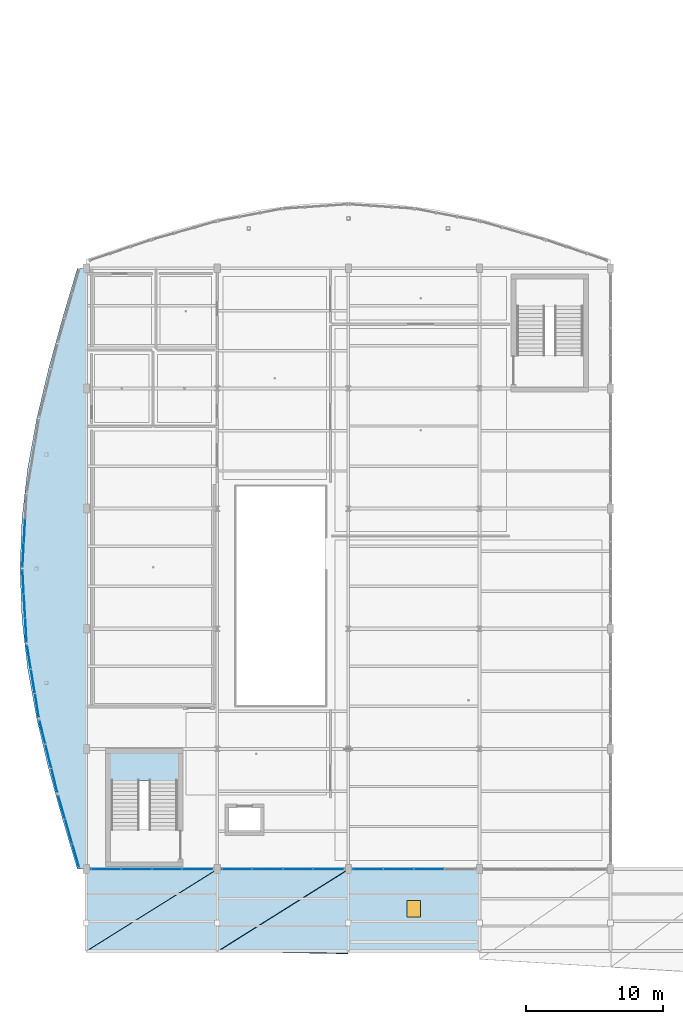
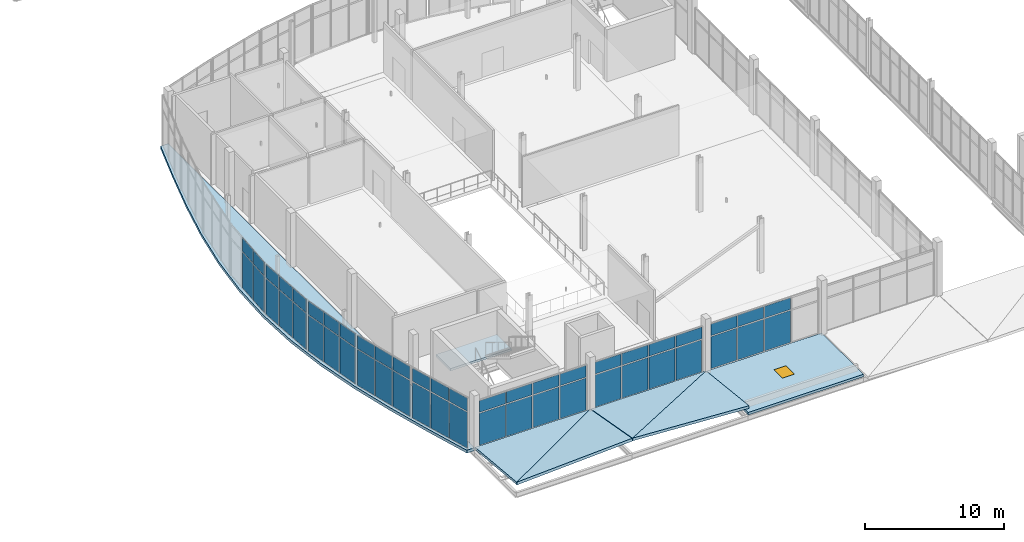
# One storey, part 114 of 157: 50 plates, 7 slabs, 1 door, 1 opening, 9 elements without a shape of their own.
"""IFC4 building model written with IfcOpenShell, lengths in metres."""

from ifc_helpers import new_model, si_unit, direction, frame, origin, origin_2d, place, context, subcontext, project, spatial, polyline, rectangle, outline, extrude, material, layer, layer_set, type_object, element, fill, aggregate, save


model = new_model("IFC4")

# Units and contexts
model_context = context("Model", 3, precision=1e-05, world=origin(), true_north=direction((0.0, 1.0)))
body_context = subcontext(model_context, "Body", "Model", "MODEL_VIEW")
ifc_project = project(units=[si_unit("LENGTHUNIT", "METRE"), si_unit("AREAUNIT", "SQUARE_METRE"), si_unit("VOLUMEUNIT", "CUBIC_METRE"), si_unit("PLANEANGLEUNIT", "RADIAN"), si_unit("MASSUNIT", "GRAM", prefix="KILO")], contexts=[model_context])

# Site, building, storey
site_placement = place(None, origin())
site = spatial("IfcSite", under=ifc_project, at=site_placement, CompositionType="ELEMENT")
building_placement = place(site_placement, origin())
building = spatial("IfcBuilding", under=site, at=building_placement, Name="Chalmorin Arch Market", CompositionType="ELEMENT")
storey_placement = place(building_placement, frame((0.0, 0.0, 4.800048828125)))
storey = spatial("IfcBuildingStorey", under=building, at=storey_placement, Name="L01", CompositionType="ELEMENT", Elevation=4.800048828125)

# Slabs
ifc_material_1 = material(Name="Concrete C40/50", Category="concrete")
ifc_layer_1 = layer(ifc_material_1, 0.219970703125)
ifc_layer_set_1 = layer_set([ifc_layer_1], Name="Concrete C40/50")
slab_type_1 = type_object("IfcSlabType", Name="ColonnadeCanopySlab-220", PredefinedType="ROOF", material=ifc_layer_set_1)
slab_1_placement = place(storey_placement, frame((0.02001953125, 0.0, 0.60205078125), z_axis=(-0.05250585042, 0.176318008326, 0.982931887575), x_axis=(0.998556461371, -0.001887051896, 0.053678976229)))
element("IfcSlab", 1, at=slab_1_placement, inside=storey, type_object=slab_type_1, Name="RS-220-060", PredefinedType="ROOF", context=body_context, shape_type="SweptSolid", body=[
    extrude(outline(polyline([(0.0, 0.0), (9.57387885770882, 0.0), (9.50480553270343, 6.093391147798349), (0.0, 0.0)])), origin(), (0.0, 0.0, -1.0), 0.219970703125),
])
slab_2_placement = place(storey_placement, frame((0.02001953125, 0.0, 0.60205078125), z_axis=(0.0, 0.093569873055, 0.995612715295), x_axis=(0.846750172799, 0.529656742748, -0.049778305781)))
element("IfcSlab", 2, at=slab_2_placement, inside=storey, type_object=slab_type_1, Name="RS-220-061", PredefinedType="ROOF", context=body_context, shape_type="SweptSolid", body=[
    extrude(outline(polyline([(0.0, 0.0), (11.290294234189693, 9.71445146547012e-17), (3.1953129679647345, 5.08586262254499), (0.0, 0.0)])), origin(), (0.0, 0.0, -1.0), 0.219970703125),
])
slab_3_placement = place(storey_placement, frame((9.6201171875, -0.01806640625, 1.115966796875), z_axis=(0.042587794382, 0.110245182031, 0.992991580835), x_axis=(0.998993580265, -0.018700674064, -0.040769000211)))
element("IfcSlab", 3, at=slab_3_placement, inside=storey, type_object=slab_type_1, Name="RS-220-062", PredefinedType="ROOF", context=body_context, shape_type="SweptSolid", body=[
    extrude(outline(polyline([(0.0, 0.0), (9.569445331756768, 3.469446951953614e-17), (9.48189024559779, 6.214337981869809), (0.0, 0.0)])), origin(), (0.0, 0.0, -1.0), 0.219970703125),
])
slab_4_placement = place(storey_placement, frame((9.6201171875, -0.01806640625, 1.115966796875), z_axis=(0.0, 0.176561554423, 0.984289600422), x_axis=(0.843251150268, 0.529075114533, -0.09490532521)))
element("IfcSlab", 4, at=slab_4_placement, inside=storey, type_object=slab_type_1, Name="RS-220-063", PredefinedType="ROOF", context=body_context, shape_type="SweptSolid", body=[
    extrude(outline(polyline([(0.0, 0.0), (11.336853142846664, -8.881784197001252e-16), (3.2755286089002182, 5.138589216562343), (0.0, 0.0)])), origin(), (0.0, 0.0, -1.0), 0.219970703125),
])

# Slab, opening, door
slab_5_placement = place(storey_placement, frame((0.0, 0.0, -0.219970703125)))
slab_5 = element("IfcSlab", 5, at=slab_5_placement, inside=storey, type_object=slab_type_1, Name="RS-220-064", PredefinedType="ROOF", context=body_context, shape_type="SweptSolid", body=[
    extrude(outline(polyline([(19.219970703125, 0.0), (28.780029296875, 0.0), (28.780029296875, 5.97998046875), (19.219970703125, 5.97998046875), (19.219970703125, 0.0)])), origin(), (0.0, 0.0, 1.0), 0.219970703125),
])
opening_placement = place(slab_5_placement, frame((24.0, 3.10009765625, -0.010009765625)))
opening = element("IfcOpeningElement", 6, at=opening_placement, cuts=slab_5, Name="Opening RH-064", PredefinedType="OPENING", context=body_context, shape_type="SweptSolid", body=[
    extrude(rectangle(XDim=1.0, YDim=1.199951171875, at=origin_2d()), origin(), (0.0, 0.0, 1.0), 0.239990234375),
])
ifc_material_2 = material(Name="Galvanised Steel", Category="steel")
door_type = type_object("IfcDoorType", Name="RoofAccessHatchDoor-1000x1200", OperationType="SWING_FIXED_LEFT", PredefinedType="TRAPDOOR", material=ifc_material_2)
door_placement = place(slab_5_placement, frame((24.0, 3.10009765625, 0.169921875)))
door = element("IfcDoor", 7, at=door_placement, inside=storey, type_object=door_type, Name="RH-064", OperationType="SINGLE_SWING_LEFT", OverallHeight=1.199951171875, OverallWidth=1.0, PredefinedType="TRAPDOOR", context=body_context, shape_type="SweptSolid", body=[
    extrude(rectangle(XDim=1.0, YDim=1.199951171875, at=origin_2d()), origin(), (0.0, 0.0, 1.0), 0.050048828125),
])
fill(opening, door)

# Slab
ifc_layer_2 = layer(ifc_material_1, 0.25)
ifc_layer_set_2 = layer_set([ifc_layer_2], Name="Concrete C40/50")
slab_type_2 = type_object("IfcSlabType", Name="MezzanineDeckSlab-250", PredefinedType="FLOOR", material=ifc_layer_set_2)
slab_6_placement = place(storey_placement, frame((0.0, 0.0, -0.25)))
element("IfcSlab", 8, at=slab_6_placement, inside=storey, type_object=slab_type_2, Name="FS-250-128", PredefinedType="FLOOR", context=body_context, shape_type="SweptSolid", body=[
    extrude(outline(polyline([(-0.02001953125, 6.0), (-0.64990234375, 6.0), (-1.737060546875, 9.6669921875), (-2.75, 13.3330078125), (-3.6201171875, 17.0), (-4.287109375, 20.6669921875), (-4.70703125, 24.3330078125), (-4.85009765625, 28.0), (-4.70703125, 31.6669921875), (-4.287109375, 35.3330078125), (-3.6201171875, 39.0), (-2.75, 42.6669921875), (-1.737060546875, 46.3330078125), (-0.64990234375, 50.0), (-0.02001953125, 50.0), (-0.02001953125, 6.0)])), origin(), (0.0, 0.0, 1.0), 0.25),
])

# Curtain wall, plates
ifc_material_3 = material(Name="Aluminium 6063-T6", Category="aluminium")
ifc_layer_3 = layer(ifc_material_3, 0.159912109375)
ifc_layer_set_3 = layer_set([ifc_layer_3], Name="Aluminium 6063-T6")
curtain_wall_type_1 = type_object("IfcCurtainWallType", Name="RiverfrontStorefrontCurtainWall-CW2-5550x4520", PredefinedType="NOTDEFINED", material=ifc_layer_set_3)
curtain_wall_1_placement = place(storey_placement, origin())
curtain_wall_1 = element("IfcCurtainWall", 9, at=curtain_wall_1_placement, inside=storey, type_object=curtain_wall_type_1, Name="CW-02-046", PredefinedType="NOTDEFINED")
ifc_material_4 = material(Name="Powder-coated Aluminium Panel", Category="aluminium")
ifc_layer_4 = layer(ifc_material_4, 0.0400390625)
ifc_layer_set_4 = layer_set([ifc_layer_4], Name="Powder-coated Aluminium Panel")
plate_type_1 = type_object("IfcPlateType", Name="ShadowboxSpandrelPanel-40", PredefinedType="CURTAIN_PANEL", material=ifc_layer_set_4)
plate_1_placement = place(storey_placement, frame((-0.7646484375, 6.974365234375, 3.29931640625), z_axis=(0.0, 0.0, 1.0), x_axis=(-0.275637355817, 0.961261695938, 0.0)))
plate_1 = element("IfcPlate", 10, at=plate_1_placement, type_object=plate_type_1, Name="SP-40-046-01B", PredefinedType="CURTAIN_PANEL", context=body_context, shape_type="SweptSolid", body=[
    extrude(rectangle(XDim=1.77001953125, YDim=0.0400390625, at=origin_2d()), origin(), (0.0, 0.0, 1.0), 1.150634765625),
])
plate_2_placement = place(storey_placement, frame((-1.283447265625, 8.75, 3.29931640625), z_axis=(0.0, 0.0, 1.0), x_axis=(-0.275637355817, 0.961261695938, 0.0)))
plate_2 = element("IfcPlate", 11, at=plate_2_placement, type_object=plate_type_1, Name="SP-40-046-02B", PredefinedType="CURTAIN_PANEL", context=body_context, shape_type="SweptSolid", body=[
    extrude(rectangle(XDim=1.77001953125, YDim=0.0400390625, at=origin_2d()), origin(), (0.0, 0.0, 1.0), 1.150634765625),
])
plate_3_placement = place(storey_placement, frame((-1.802490234375, 10.525634765625, 3.29931640625), z_axis=(0.0, 0.0, 1.0), x_axis=(-0.275637355817, 0.961261695938, 0.0)))
plate_3 = element("IfcPlate", 12, at=plate_3_placement, type_object=plate_type_1, Name="SP-40-046-03B", PredefinedType="CURTAIN_PANEL", context=body_context, shape_type="SweptSolid", body=[
    extrude(rectangle(XDim=1.77001953125, YDim=0.0400390625, at=origin_2d()), origin(), (0.0, 0.0, 1.0), 1.150634765625),
])

ifc_layer_5 = layer(ifc_material_3, 0.159912109375)
ifc_layer_set_5 = layer_set([ifc_layer_5], Name="Aluminium 6063-T6")
curtain_wall_type_2 = type_object("IfcCurtainWallType", Name="RiverfrontStorefrontCurtainWall-CW2-5490x4520", PredefinedType="NOTDEFINED", material=ifc_layer_set_5)
curtain_wall_2_placement = place(storey_placement, origin())
curtain_wall_2 = element("IfcCurtainWall", 13, at=curtain_wall_2_placement, inside=storey, type_object=curtain_wall_type_2, Name="CW-02-049", PredefinedType="NOTDEFINED")
plate_4_placement = place(storey_placement, frame((-2.32861328125, 12.474853515625, 3.29931640625), z_axis=(0.0, 0.0, 1.0), x_axis=(-0.2419218956, 0.970295726276, 0.0)))
plate_4 = element("IfcPlate", 14, at=plate_4_placement, type_object=plate_type_1, Name="SP-40-049-01B", PredefinedType="CURTAIN_PANEL", context=body_context, shape_type="SweptSolid", body=[
    extrude(rectangle(XDim=1.748779296875, YDim=0.0400390625, at=origin_2d()), origin(), (0.0, 0.0, 1.0), 1.150634765625),
])
plate_5_placement = place(storey_placement, frame((-2.7685546875, 14.25, 3.29931640625), z_axis=(0.0, 0.0, 1.0), x_axis=(-0.2419218956, 0.970295726276, 0.0)))
plate_5 = element("IfcPlate", 15, at=plate_5_placement, type_object=plate_type_1, Name="SP-40-049-02B", PredefinedType="CURTAIN_PANEL", context=body_context, shape_type="SweptSolid", body=[
    extrude(rectangle(XDim=1.748779296875, YDim=0.0400390625, at=origin_2d()), origin(), (0.0, 0.0, 1.0), 1.150634765625),
])
plate_6_placement = place(storey_placement, frame((-3.20849609375, 16.025146484375, 3.29931640625), z_axis=(0.0, 0.0, 1.0), x_axis=(-0.2419218956, 0.970295726276, 0.0)))
plate_6 = element("IfcPlate", 16, at=plate_6_placement, type_object=plate_type_1, Name="SP-40-049-03B", PredefinedType="CURTAIN_PANEL", context=body_context, shape_type="SweptSolid", body=[
    extrude(rectangle(XDim=1.748779296875, YDim=0.0400390625, at=origin_2d()), origin(), (0.0, 0.0, 1.0), 1.150634765625),
])

ifc_layer_6 = layer(ifc_material_3, 0.159912109375)
ifc_layer_set_6 = layer_set([ifc_layer_6], Name="Aluminium 6063-T6")
curtain_wall_type_3 = type_object("IfcCurtainWallType", Name="RiverfrontStorefrontCurtainWall-CW2-5390x4520", PredefinedType="NOTDEFINED", material=ifc_layer_set_6)
curtain_wall_3_placement = place(storey_placement, origin())
curtain_wall_3 = element("IfcCurtainWall", 17, at=curtain_wall_3_placement, inside=storey, type_object=curtain_wall_type_3, Name="CW-02-052", PredefinedType="NOTDEFINED")
plate_7_placement = place(storey_placement, frame((-3.611572265625, 17.975830078125, 3.29931640625), z_axis=(0.0, 0.0, 1.0), x_axis=(-0.15643446504, 0.987688340595, 0.0)))
plate_7 = element("IfcPlate", 18, at=plate_7_placement, type_object=plate_type_1, Name="SP-40-052-01B", PredefinedType="CURTAIN_PANEL", context=body_context, shape_type="SweptSolid", body=[
    extrude(rectangle(XDim=1.71826171875, YDim=0.0400390625, at=origin_2d()), origin(), (0.0, 0.0, 1.0), 1.150634765625),
])
plate_8_placement = place(storey_placement, frame((-3.905029296875, 19.75, 3.29931640625), z_axis=(0.0, 0.0, 1.0), x_axis=(-0.15643446504, 0.987688340595, 0.0)))
plate_8 = element("IfcPlate", 19, at=plate_8_placement, type_object=plate_type_1, Name="SP-40-052-02B", PredefinedType="CURTAIN_PANEL", context=body_context, shape_type="SweptSolid", body=[
    extrude(rectangle(XDim=1.71826171875, YDim=0.0400390625, at=origin_2d()), origin(), (0.0, 0.0, 1.0), 1.150634765625),
])
plate_9_placement = place(storey_placement, frame((-4.198486328125, 21.524169921875, 3.29931640625), z_axis=(0.0, 0.0, 1.0), x_axis=(-0.15643446504, 0.987688340595, 0.0)))
plate_9 = element("IfcPlate", 20, at=plate_9_placement, type_object=plate_type_1, Name="SP-40-052-03B", PredefinedType="CURTAIN_PANEL", context=body_context, shape_type="SweptSolid", body=[
    extrude(rectangle(XDim=1.71826171875, YDim=0.0400390625, at=origin_2d()), origin(), (0.0, 0.0, 1.0), 1.150634765625),
])

ifc_layer_7 = layer(ifc_material_3, 0.159912109375)
ifc_layer_set_7 = layer_set([ifc_layer_7], Name="Aluminium 6063-T6")
curtain_wall_type_4 = type_object("IfcCurtainWallType", Name="RiverfrontStorefrontCurtainWall-CW2-5330x4520", PredefinedType="NOTDEFINED", material=ifc_layer_set_7)
curtain_wall_4_placement = place(storey_placement, origin())
curtain_wall_4 = element("IfcCurtainWall", 21, at=curtain_wall_4_placement, inside=storey, type_object=curtain_wall_type_4, Name="CW-02-055", PredefinedType="NOTDEFINED")
plate_10_placement = place(storey_placement, frame((-4.416748046875, 23.4765625, 3.29931640625), z_axis=(0.0, 0.0, 1.0), x_axis=(-0.052335956243, 0.998629534755, 0.0)))
plate_10 = element("IfcPlate", 22, at=plate_10_placement, type_object=plate_type_1, Name="SP-40-055-01B", PredefinedType="CURTAIN_PANEL", context=body_context, shape_type="SweptSolid", body=[
    extrude(rectangle(XDim=1.696533203125, YDim=0.0400390625, at=origin_2d()), origin(), (0.0, 0.0, 1.0), 1.150634765625),
])
plate_11_placement = place(storey_placement, frame((-4.52001953125, 25.25, 3.29931640625), z_axis=(0.0, 0.0, 1.0), x_axis=(-0.052335956243, 0.998629534755, 0.0)))
plate_11 = element("IfcPlate", 23, at=plate_11_placement, type_object=plate_type_1, Name="SP-40-055-02B", PredefinedType="CURTAIN_PANEL", context=body_context, shape_type="SweptSolid", body=[
    extrude(rectangle(XDim=1.696533203125, YDim=0.0400390625, at=origin_2d()), origin(), (0.0, 0.0, 1.0), 1.150634765625),
])
plate_12_placement = place(storey_placement, frame((-4.623291015625, 27.0234375, 3.29931640625), z_axis=(0.0, 0.0, 1.0), x_axis=(-0.052335956243, 0.998629534755, 0.0)))
plate_12 = element("IfcPlate", 24, at=plate_12_placement, type_object=plate_type_1, Name="SP-40-055-03B", PredefinedType="CURTAIN_PANEL", context=body_context, shape_type="SweptSolid", body=[
    extrude(rectangle(XDim=1.696533203125, YDim=0.0400390625, at=origin_2d()), origin(), (0.0, 0.0, 1.0), 1.150634765625),
])

curtain_wall_5_placement = place(storey_placement, origin())
curtain_wall_5 = element("IfcCurtainWall", 25, at=curtain_wall_5_placement, inside=storey, type_object=curtain_wall_type_4, Name="CW-02-058", PredefinedType="NOTDEFINED")
plate_13_placement = place(storey_placement, frame((-4.623291015625, 28.9765625, 3.29931640625), z_axis=(0.0, 0.0, 1.0), x_axis=(0.052335956243, 0.998629534755, 0.0)))
plate_13 = element("IfcPlate", 26, at=plate_13_placement, type_object=plate_type_1, Name="SP-40-058-01B", PredefinedType="CURTAIN_PANEL", context=body_context, shape_type="SweptSolid", body=[
    extrude(rectangle(XDim=1.696533203125, YDim=0.0400390625, at=origin_2d()), origin(), (0.0, 0.0, 1.0), 1.150634765625),
])
plate_14_placement = place(storey_placement, frame((-4.52001953125, 30.75, 3.29931640625), z_axis=(0.0, 0.0, 1.0), x_axis=(0.052335956243, 0.998629534755, 0.0)))
plate_14 = element("IfcPlate", 27, at=plate_14_placement, type_object=plate_type_1, Name="SP-40-058-02B", PredefinedType="CURTAIN_PANEL", context=body_context, shape_type="SweptSolid", body=[
    extrude(rectangle(XDim=1.696533203125, YDim=0.0400390625, at=origin_2d()), origin(), (0.0, 0.0, 1.0), 1.150634765625),
])

ifc_layer_8 = layer(ifc_material_3, 0.159912109375)
ifc_layer_set_8 = layer_set([ifc_layer_8], Name="Aluminium 6063-T6")
curtain_wall_type_5 = type_object("IfcCurtainWallType", Name="RiverfrontStorefrontCurtainWall-CW2-8930x4070", PredefinedType="NOTDEFINED", material=ifc_layer_set_8)
curtain_wall_6_placement = place(storey_placement, origin())
curtain_wall_6 = element("IfcCurtainWall", 28, at=curtain_wall_6_placement, inside=storey, type_object=curtain_wall_type_5, Name="CW-02-093", PredefinedType="NOTDEFINED")
plate_15_placement = place(storey_placement, frame((1.451171875, 6.0, 2.972412109375), z_axis=(0.0, 0.0, 1.0), x_axis=(1.0, 0.0, 0.0)))
plate_15 = element("IfcPlate", 29, at=plate_15_placement, type_object=plate_type_1, Name="SP-40-093-01B", PredefinedType="CURTAIN_PANEL", context=body_context, shape_type="SweptSolid", body=[
    extrude(rectangle(XDim=2.152587890625, YDim=0.0400390625, at=origin_2d()), origin(), (0.0, 0.0, 1.0), 1.0234375),
])
plate_16_placement = place(storey_placement, frame((3.68359375, 6.0, 2.972412109375), z_axis=(0.0, 0.0, 1.0), x_axis=(1.0, 0.0, 0.0)))
plate_16 = element("IfcPlate", 30, at=plate_16_placement, type_object=plate_type_1, Name="SP-40-093-02B", PredefinedType="CURTAIN_PANEL", context=body_context, shape_type="SweptSolid", body=[
    extrude(rectangle(XDim=2.152587890625, YDim=0.0400390625, at=origin_2d()), origin(), (0.0, 0.0, 1.0), 1.0234375),
])
plate_17_placement = place(storey_placement, frame((5.916259765625, 6.0, 2.972412109375), z_axis=(0.0, 0.0, 1.0), x_axis=(1.0, 0.0, 0.0)))
plate_17 = element("IfcPlate", 31, at=plate_17_placement, type_object=plate_type_1, Name="SP-40-093-03B", PredefinedType="CURTAIN_PANEL", context=body_context, shape_type="SweptSolid", body=[
    extrude(rectangle(XDim=2.152587890625, YDim=0.0400390625, at=origin_2d()), origin(), (0.0, 0.0, 1.0), 1.0234375),
])
plate_18_placement = place(storey_placement, frame((8.148681640625, 6.0, 2.972412109375), z_axis=(0.0, 0.0, 1.0), x_axis=(1.0, 0.0, 0.0)))
plate_18 = element("IfcPlate", 32, at=plate_18_placement, type_object=plate_type_1, Name="SP-40-093-04B", PredefinedType="CURTAIN_PANEL", context=body_context, shape_type="SweptSolid", body=[
    extrude(rectangle(XDim=2.152587890625, YDim=0.0400390625, at=origin_2d()), origin(), (0.0, 0.0, 1.0), 1.0234375),
])

curtain_wall_7_placement = place(storey_placement, origin())
curtain_wall_7 = element("IfcCurtainWall", 33, at=curtain_wall_7_placement, inside=storey, type_object=curtain_wall_type_5, Name="CW-02-095", PredefinedType="NOTDEFINED")
plate_19_placement = place(storey_placement, frame((11.05126953125, 6.0, 2.972412109375), z_axis=(0.0, 0.0, 1.0), x_axis=(1.0, 0.0, 0.0)))
plate_19 = element("IfcPlate", 34, at=plate_19_placement, type_object=plate_type_1, Name="SP-40-095-01B", PredefinedType="CURTAIN_PANEL", context=body_context, shape_type="SweptSolid", body=[
    extrude(rectangle(XDim=2.152587890625, YDim=0.0400390625, at=origin_2d()), origin(), (0.0, 0.0, 1.0), 1.0234375),
])
plate_20_placement = place(storey_placement, frame((13.28369140625, 6.0, 2.972412109375), z_axis=(0.0, 0.0, 1.0), x_axis=(1.0, 0.0, 0.0)))
plate_20 = element("IfcPlate", 35, at=plate_20_placement, type_object=plate_type_1, Name="SP-40-095-02B", PredefinedType="CURTAIN_PANEL", context=body_context, shape_type="SweptSolid", body=[
    extrude(rectangle(XDim=2.152587890625, YDim=0.0400390625, at=origin_2d()), origin(), (0.0, 0.0, 1.0), 1.0234375),
])
plate_21_placement = place(storey_placement, frame((15.51611328125, 6.0, 2.972412109375), z_axis=(0.0, 0.0, 1.0), x_axis=(1.0, 0.0, 0.0)))
plate_21 = element("IfcPlate", 36, at=plate_21_placement, type_object=plate_type_1, Name="SP-40-095-03B", PredefinedType="CURTAIN_PANEL", context=body_context, shape_type="SweptSolid", body=[
    extrude(rectangle(XDim=2.152587890625, YDim=0.0400390625, at=origin_2d()), origin(), (0.0, 0.0, 1.0), 1.0234375),
])
plate_22_placement = place(storey_placement, frame((17.748779296875, 6.0, 2.972412109375), z_axis=(0.0, 0.0, 1.0), x_axis=(1.0, 0.0, 0.0)))
plate_22 = element("IfcPlate", 37, at=plate_22_placement, type_object=plate_type_1, Name="SP-40-095-04B", PredefinedType="CURTAIN_PANEL", context=body_context, shape_type="SweptSolid", body=[
    extrude(rectangle(XDim=2.152587890625, YDim=0.0400390625, at=origin_2d()), origin(), (0.0, 0.0, 1.0), 1.0234375),
])

curtain_wall_8_placement = place(storey_placement, origin())
curtain_wall_8 = element("IfcCurtainWall", 38, at=curtain_wall_8_placement, inside=storey, type_object=curtain_wall_type_5, Name="CW-02-096", PredefinedType="NOTDEFINED")
plate_23_placement = place(storey_placement, frame((20.6513671875, 6.0, 2.972412109375), z_axis=(0.0, 0.0, 1.0), x_axis=(1.0, 0.0, 0.0)))
plate_23 = element("IfcPlate", 39, at=plate_23_placement, type_object=plate_type_1, Name="SP-40-096-01B", PredefinedType="CURTAIN_PANEL", context=body_context, shape_type="SweptSolid", body=[
    extrude(rectangle(XDim=2.152587890625, YDim=0.0400390625, at=origin_2d()), origin(), (0.0, 0.0, 1.0), 1.0234375),
])
plate_24_placement = place(storey_placement, frame((22.8837890625, 6.0, 2.972412109375), z_axis=(0.0, 0.0, 1.0), x_axis=(1.0, 0.0, 0.0)))
plate_24 = element("IfcPlate", 40, at=plate_24_placement, type_object=plate_type_1, Name="SP-40-096-02B", PredefinedType="CURTAIN_PANEL", context=body_context, shape_type="SweptSolid", body=[
    extrude(rectangle(XDim=2.152587890625, YDim=0.0400390625, at=origin_2d()), origin(), (0.0, 0.0, 1.0), 1.0234375),
])
plate_25_placement = place(storey_placement, frame((25.1162109375, 6.0, 2.972412109375), z_axis=(0.0, 0.0, 1.0), x_axis=(1.0, 0.0, 0.0)))
plate_25 = element("IfcPlate", 41, at=plate_25_placement, type_object=plate_type_1, Name="SP-40-096-03B", PredefinedType="CURTAIN_PANEL", context=body_context, shape_type="SweptSolid", body=[
    extrude(rectangle(XDim=2.152587890625, YDim=0.0400390625, at=origin_2d()), origin(), (0.0, 0.0, 1.0), 1.0234375),
])

# Stair, slab
stair_type = type_object("IfcStairType", Name="DoglegExitStair-28R-SC1", PredefinedType="HALF_TURN_STAIR", material=ifc_material_1)
stair_placement = place(storey_placement, origin())
stair = element("IfcStair", 42, at=stair_placement, inside=storey, type_object=stair_type, Name="ST-02", PredefinedType="HALF_TURN_STAIR")
ifc_layer_9 = layer(ifc_material_1, 0.195068359375)
ifc_layer_set_9 = layer_set([ifc_layer_9], Name="Concrete C40/50")
slab_type_3 = type_object("IfcSlabType", Name="StairLandingSlab-195", PredefinedType="LANDING", material=ifc_layer_set_9)
slab_7_placement = place(storey_placement, frame((0.0, 0.0, 2.204833984375)))
slab_7 = element("IfcSlab", 43, at=slab_7_placement, type_object=slab_type_3, Name="LS-002", PredefinedType="LANDING", context=body_context, shape_type="SweptSolid", body=[
    extrude(outline(polyline([(1.719970703125, 12.4599609375), (6.780029296875, 12.4599609375), (6.780029296875, 14.530029296875), (1.719970703125, 14.530029296875), (1.719970703125, 12.4599609375)])), origin(), (0.0, 0.0, 1.0), 0.195068359375),
])
aggregate(stair, [slab_7])

# Plate
ifc_material_5 = material(Name="Low-E Tempered Glass", Category="glass")
ifc_layer_10 = layer(ifc_material_5, 0.028076171875)
ifc_layer_set_10 = layer_set([ifc_layer_10], Name="Low-E Tempered Glass")
plate_type_2 = type_object("IfcPlateType", Name="VisionIGUPanel-28", PredefinedType="CURTAIN_PANEL", material=ifc_layer_set_10)
plate_26_placement = place(storey_placement, frame((-0.7646484375, 6.974365234375, 0.06982421875), z_axis=(0.0, 0.0, 1.0), x_axis=(-0.275637355817, 0.961261695938, 0.0)))
plate_26 = element("IfcPlate", 44, at=plate_26_placement, type_object=plate_type_2, Name="GL-28-046-01A", PredefinedType="CURTAIN_PANEL", context=body_context, shape_type="SweptSolid", body=[
    extrude(rectangle(XDim=1.77001953125, YDim=0.028076171875, at=origin_2d()), origin(), (0.0, 0.0, 1.0), 3.139404296875),
])

plate_27_placement = place(storey_placement, frame((-1.283447265625, 8.75, 0.06982421875), z_axis=(0.0, 0.0, 1.0), x_axis=(-0.275637355817, 0.961261695938, 0.0)))
plate_27 = element("IfcPlate", 45, at=plate_27_placement, type_object=plate_type_2, Name="GL-28-046-02A", PredefinedType="CURTAIN_PANEL", context=body_context, shape_type="SweptSolid", body=[
    extrude(rectangle(XDim=1.77001953125, YDim=0.028076171875, at=origin_2d()), origin(), (0.0, 0.0, 1.0), 3.139404296875),
])

plate_28_placement = place(storey_placement, frame((-1.802490234375, 10.525634765625, 0.06982421875), z_axis=(0.0, 0.0, 1.0), x_axis=(-0.275637355817, 0.961261695938, 0.0)))
plate_28 = element("IfcPlate", 46, at=plate_28_placement, type_object=plate_type_2, Name="GL-28-046-03A", PredefinedType="CURTAIN_PANEL", context=body_context, shape_type="SweptSolid", body=[
    extrude(rectangle(XDim=1.77001953125, YDim=0.028076171875, at=origin_2d()), origin(), (0.0, 0.0, 1.0), 3.139404296875),
])

aggregate(curtain_wall_1, [plate_26, plate_1, plate_27, plate_2, plate_28, plate_3])

plate_29_placement = place(storey_placement, frame((-2.32861328125, 12.474853515625, 0.06982421875), z_axis=(0.0, 0.0, 1.0), x_axis=(-0.2419218956, 0.970295726276, 0.0)))
plate_29 = element("IfcPlate", 47, at=plate_29_placement, type_object=plate_type_2, Name="GL-28-049-01A", PredefinedType="CURTAIN_PANEL", context=body_context, shape_type="SweptSolid", body=[
    extrude(rectangle(XDim=1.748779296875, YDim=0.028076171875, at=origin_2d()), origin(), (0.0, 0.0, 1.0), 3.139404296875),
])

plate_30_placement = place(storey_placement, frame((-2.7685546875, 14.25, 0.06982421875), z_axis=(0.0, 0.0, 1.0), x_axis=(-0.2419218956, 0.970295726276, 0.0)))
plate_30 = element("IfcPlate", 48, at=plate_30_placement, type_object=plate_type_2, Name="GL-28-049-02A", PredefinedType="CURTAIN_PANEL", context=body_context, shape_type="SweptSolid", body=[
    extrude(rectangle(XDim=1.748779296875, YDim=0.028076171875, at=origin_2d()), origin(), (0.0, 0.0, 1.0), 3.139404296875),
])

plate_31_placement = place(storey_placement, frame((-3.20849609375, 16.025146484375, 0.06982421875), z_axis=(0.0, 0.0, 1.0), x_axis=(-0.2419218956, 0.970295726276, 0.0)))
plate_31 = element("IfcPlate", 49, at=plate_31_placement, type_object=plate_type_2, Name="GL-28-049-03A", PredefinedType="CURTAIN_PANEL", context=body_context, shape_type="SweptSolid", body=[
    extrude(rectangle(XDim=1.748779296875, YDim=0.028076171875, at=origin_2d()), origin(), (0.0, 0.0, 1.0), 3.139404296875),
])

aggregate(curtain_wall_2, [plate_29, plate_4, plate_30, plate_5, plate_31, plate_6])

plate_32_placement = place(storey_placement, frame((-3.611572265625, 17.975830078125, 0.06982421875), z_axis=(0.0, 0.0, 1.0), x_axis=(-0.15643446504, 0.987688340595, 0.0)))
plate_32 = element("IfcPlate", 50, at=plate_32_placement, type_object=plate_type_2, Name="GL-28-052-01A", PredefinedType="CURTAIN_PANEL", context=body_context, shape_type="SweptSolid", body=[
    extrude(rectangle(XDim=1.71826171875, YDim=0.028076171875, at=origin_2d()), origin(), (0.0, 0.0, 1.0), 3.139404296875),
])

plate_33_placement = place(storey_placement, frame((-3.905029296875, 19.75, 0.06982421875), z_axis=(0.0, 0.0, 1.0), x_axis=(-0.15643446504, 0.987688340595, 0.0)))
plate_33 = element("IfcPlate", 51, at=plate_33_placement, type_object=plate_type_2, Name="GL-28-052-02A", PredefinedType="CURTAIN_PANEL", context=body_context, shape_type="SweptSolid", body=[
    extrude(rectangle(XDim=1.71826171875, YDim=0.028076171875, at=origin_2d()), origin(), (0.0, 0.0, 1.0), 3.139404296875),
])

plate_34_placement = place(storey_placement, frame((-4.198486328125, 21.524169921875, 0.06982421875), z_axis=(0.0, 0.0, 1.0), x_axis=(-0.15643446504, 0.987688340595, 0.0)))
plate_34 = element("IfcPlate", 52, at=plate_34_placement, type_object=plate_type_2, Name="GL-28-052-03A", PredefinedType="CURTAIN_PANEL", context=body_context, shape_type="SweptSolid", body=[
    extrude(rectangle(XDim=1.71826171875, YDim=0.028076171875, at=origin_2d()), origin(), (0.0, 0.0, 1.0), 3.139404296875),
])

aggregate(curtain_wall_3, [plate_32, plate_7, plate_33, plate_8, plate_34, plate_9])

plate_35_placement = place(storey_placement, frame((-4.416748046875, 23.4765625, 0.06982421875), z_axis=(0.0, 0.0, 1.0), x_axis=(-0.052335956243, 0.998629534755, 0.0)))
plate_35 = element("IfcPlate", 53, at=plate_35_placement, type_object=plate_type_2, Name="GL-28-055-01A", PredefinedType="CURTAIN_PANEL", context=body_context, shape_type="SweptSolid", body=[
    extrude(rectangle(XDim=1.696533203125, YDim=0.028076171875, at=origin_2d()), origin(), (0.0, 0.0, 1.0), 3.139404296875),
])

plate_36_placement = place(storey_placement, frame((-4.52001953125, 25.25, 0.06982421875), z_axis=(0.0, 0.0, 1.0), x_axis=(-0.052335956243, 0.998629534755, 0.0)))
plate_36 = element("IfcPlate", 54, at=plate_36_placement, type_object=plate_type_2, Name="GL-28-055-02A", PredefinedType="CURTAIN_PANEL", context=body_context, shape_type="SweptSolid", body=[
    extrude(rectangle(XDim=1.696533203125, YDim=0.028076171875, at=origin_2d()), origin(), (0.0, 0.0, 1.0), 3.139404296875),
])

plate_37_placement = place(storey_placement, frame((-4.623291015625, 27.0234375, 0.06982421875), z_axis=(0.0, 0.0, 1.0), x_axis=(-0.052335956243, 0.998629534755, 0.0)))
plate_37 = element("IfcPlate", 55, at=plate_37_placement, type_object=plate_type_2, Name="GL-28-055-03A", PredefinedType="CURTAIN_PANEL", context=body_context, shape_type="SweptSolid", body=[
    extrude(rectangle(XDim=1.696533203125, YDim=0.028076171875, at=origin_2d()), origin(), (0.0, 0.0, 1.0), 3.139404296875),
])

aggregate(curtain_wall_4, [plate_35, plate_10, plate_36, plate_11, plate_37, plate_12])

plate_38_placement = place(storey_placement, frame((-4.623291015625, 28.9765625, 0.06982421875), z_axis=(0.0, 0.0, 1.0), x_axis=(0.052335956243, 0.998629534755, 0.0)))
plate_38 = element("IfcPlate", 56, at=plate_38_placement, type_object=plate_type_2, Name="GL-28-058-01A", PredefinedType="CURTAIN_PANEL", context=body_context, shape_type="SweptSolid", body=[
    extrude(rectangle(XDim=1.696533203125, YDim=0.028076171875, at=origin_2d()), origin(), (0.0, 0.0, 1.0), 3.139404296875),
])

plate_39_placement = place(storey_placement, frame((-4.52001953125, 30.75, 0.06982421875), z_axis=(0.0, 0.0, 1.0), x_axis=(0.052335956243, 0.998629534755, 0.0)))
plate_39 = element("IfcPlate", 57, at=plate_39_placement, type_object=plate_type_2, Name="GL-28-058-02A", PredefinedType="CURTAIN_PANEL", context=body_context, shape_type="SweptSolid", body=[
    extrude(rectangle(XDim=1.696533203125, YDim=0.028076171875, at=origin_2d()), origin(), (0.0, 0.0, 1.0), 3.139404296875),
])

aggregate(curtain_wall_5, [plate_38, plate_13, plate_39, plate_14])

plate_40_placement = place(storey_placement, frame((1.451171875, 6.0, 0.070068359375), z_axis=(0.0, 0.0, 1.0), x_axis=(1.0, 0.0, 0.0)))
plate_40 = element("IfcPlate", 58, at=plate_40_placement, type_object=plate_type_2, Name="GL-28-093-01A", PredefinedType="CURTAIN_PANEL", context=body_context, shape_type="SweptSolid", body=[
    extrude(rectangle(XDim=2.152587890625, YDim=0.028076171875, at=origin_2d()), origin(), (0.0, 0.0, 1.0), 2.8125),
])

plate_41_placement = place(storey_placement, frame((3.68359375, 6.0, 0.070068359375), z_axis=(0.0, 0.0, 1.0), x_axis=(1.0, 0.0, 0.0)))
plate_41 = element("IfcPlate", 59, at=plate_41_placement, type_object=plate_type_2, Name="GL-28-093-02A", PredefinedType="CURTAIN_PANEL", context=body_context, shape_type="SweptSolid", body=[
    extrude(rectangle(XDim=2.152587890625, YDim=0.028076171875, at=origin_2d()), origin(), (0.0, 0.0, 1.0), 2.8125),
])

plate_42_placement = place(storey_placement, frame((5.916259765625, 6.0, 0.070068359375), z_axis=(0.0, 0.0, 1.0), x_axis=(1.0, 0.0, 0.0)))
plate_42 = element("IfcPlate", 60, at=plate_42_placement, type_object=plate_type_2, Name="GL-28-093-03A", PredefinedType="CURTAIN_PANEL", context=body_context, shape_type="SweptSolid", body=[
    extrude(rectangle(XDim=2.152587890625, YDim=0.028076171875, at=origin_2d()), origin(), (0.0, 0.0, 1.0), 2.8125),
])

plate_43_placement = place(storey_placement, frame((8.148681640625, 6.0, 0.070068359375), z_axis=(0.0, 0.0, 1.0), x_axis=(1.0, 0.0, 0.0)))
plate_43 = element("IfcPlate", 61, at=plate_43_placement, type_object=plate_type_2, Name="GL-28-093-04A", PredefinedType="CURTAIN_PANEL", context=body_context, shape_type="SweptSolid", body=[
    extrude(rectangle(XDim=2.152587890625, YDim=0.028076171875, at=origin_2d()), origin(), (0.0, 0.0, 1.0), 2.8125),
])

aggregate(curtain_wall_6, [plate_40, plate_15, plate_41, plate_16, plate_42, plate_17, plate_43, plate_18])

plate_44_placement = place(storey_placement, frame((11.05126953125, 6.0, 0.070068359375), z_axis=(0.0, 0.0, 1.0), x_axis=(1.0, 0.0, 0.0)))
plate_44 = element("IfcPlate", 62, at=plate_44_placement, type_object=plate_type_2, Name="GL-28-095-01A", PredefinedType="CURTAIN_PANEL", context=body_context, shape_type="SweptSolid", body=[
    extrude(rectangle(XDim=2.152587890625, YDim=0.028076171875, at=origin_2d()), origin(), (0.0, 0.0, 1.0), 2.8125),
])

plate_45_placement = place(storey_placement, frame((13.28369140625, 6.0, 0.070068359375), z_axis=(0.0, 0.0, 1.0), x_axis=(1.0, 0.0, 0.0)))
plate_45 = element("IfcPlate", 63, at=plate_45_placement, type_object=plate_type_2, Name="GL-28-095-02A", PredefinedType="CURTAIN_PANEL", context=body_context, shape_type="SweptSolid", body=[
    extrude(rectangle(XDim=2.152587890625, YDim=0.028076171875, at=origin_2d()), origin(), (0.0, 0.0, 1.0), 2.8125),
])

plate_46_placement = place(storey_placement, frame((15.51611328125, 6.0, 0.070068359375), z_axis=(0.0, 0.0, 1.0), x_axis=(1.0, 0.0, 0.0)))
plate_46 = element("IfcPlate", 64, at=plate_46_placement, type_object=plate_type_2, Name="GL-28-095-03A", PredefinedType="CURTAIN_PANEL", context=body_context, shape_type="SweptSolid", body=[
    extrude(rectangle(XDim=2.152587890625, YDim=0.028076171875, at=origin_2d()), origin(), (0.0, 0.0, 1.0), 2.8125),
])

plate_47_placement = place(storey_placement, frame((17.748779296875, 6.0, 0.070068359375), z_axis=(0.0, 0.0, 1.0), x_axis=(1.0, 0.0, 0.0)))
plate_47 = element("IfcPlate", 65, at=plate_47_placement, type_object=plate_type_2, Name="GL-28-095-04A", PredefinedType="CURTAIN_PANEL", context=body_context, shape_type="SweptSolid", body=[
    extrude(rectangle(XDim=2.152587890625, YDim=0.028076171875, at=origin_2d()), origin(), (0.0, 0.0, 1.0), 2.8125),
])

aggregate(curtain_wall_7, [plate_44, plate_19, plate_45, plate_20, plate_46, plate_21, plate_47, plate_22])

plate_48_placement = place(storey_placement, frame((20.6513671875, 6.0, 0.070068359375), z_axis=(0.0, 0.0, 1.0), x_axis=(1.0, 0.0, 0.0)))
plate_48 = element("IfcPlate", 66, at=plate_48_placement, type_object=plate_type_2, Name="GL-28-096-01A", PredefinedType="CURTAIN_PANEL", context=body_context, shape_type="SweptSolid", body=[
    extrude(rectangle(XDim=2.152587890625, YDim=0.028076171875, at=origin_2d()), origin(), (0.0, 0.0, 1.0), 2.8125),
])

plate_49_placement = place(storey_placement, frame((22.8837890625, 6.0, 0.070068359375), z_axis=(0.0, 0.0, 1.0), x_axis=(1.0, 0.0, 0.0)))
plate_49 = element("IfcPlate", 67, at=plate_49_placement, type_object=plate_type_2, Name="GL-28-096-02A", PredefinedType="CURTAIN_PANEL", context=body_context, shape_type="SweptSolid", body=[
    extrude(rectangle(XDim=2.152587890625, YDim=0.028076171875, at=origin_2d()), origin(), (0.0, 0.0, 1.0), 2.8125),
])

plate_50_placement = place(storey_placement, frame((25.1162109375, 6.0, 0.070068359375), z_axis=(0.0, 0.0, 1.0), x_axis=(1.0, 0.0, 0.0)))
plate_50 = element("IfcPlate", 68, at=plate_50_placement, type_object=plate_type_2, Name="GL-28-096-03A", PredefinedType="CURTAIN_PANEL", context=body_context, shape_type="SweptSolid", body=[
    extrude(rectangle(XDim=2.152587890625, YDim=0.028076171875, at=origin_2d()), origin(), (0.0, 0.0, 1.0), 2.8125),
])

aggregate(curtain_wall_8, [plate_48, plate_23, plate_49, plate_24, plate_50, plate_25])

save(model, "model.ifc")
